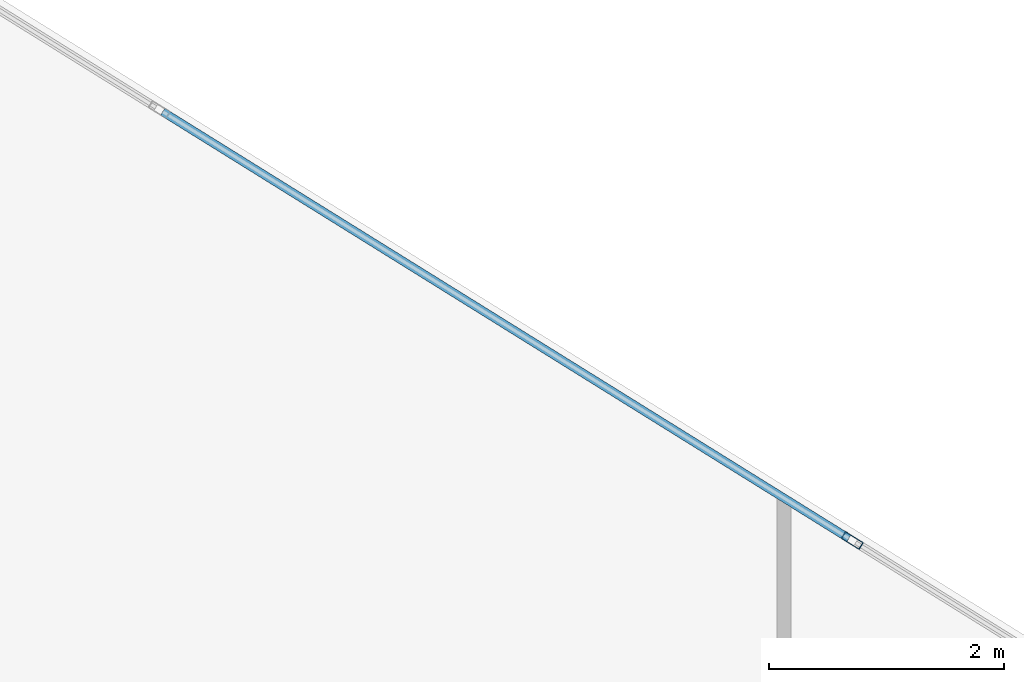
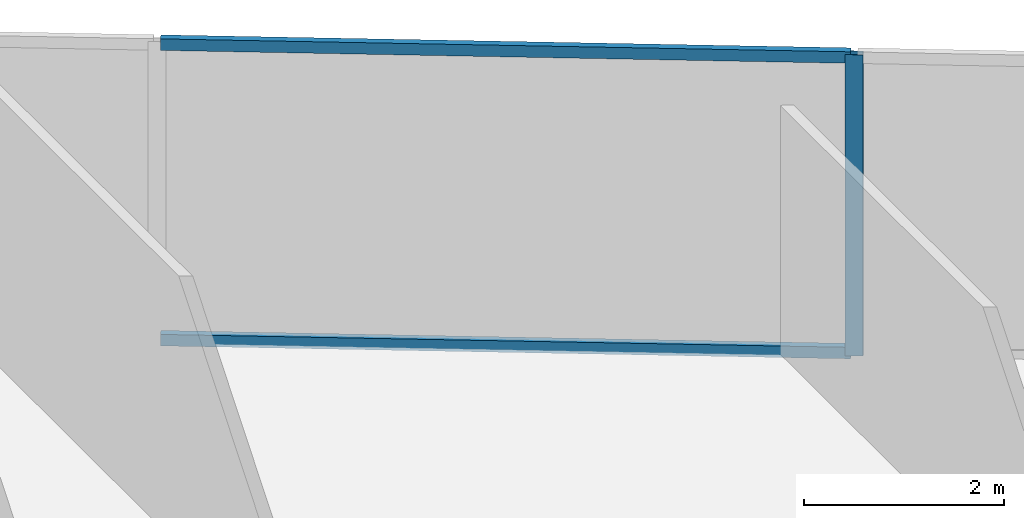
# One storey, part 19 of 25: 3 members, 1 element without a shape of its own.
"""IFC4 building model written with IfcOpenShell, lengths in metres."""

import ifcopenshell
import ifcopenshell.guid

model = None  # the IFC model being written
_history = None  # IfcOwnerHistory: only IFC2X3 demands one
_inside = {}  # id of a spatial element -> (the spatial element, [elements in it])
_under = {}  # id of a project, library or spatial element -> (it, [spatial elements below it])
_declared = {}  # id of a project -> (the project, [libraries it declares])
_typed = {}  # id of a type object -> (the type object, [elements of that type])
_made_of = {}  # id of a material, layer set ... -> (it, [elements and type objects made of it])


def new_model(schema):
    """Start an empty IFC model of exactly this schema.

    Asked for "IFC4X3", IfcOpenShell would pick the latest addendum, in which some entities
    have other attributes; the version numbers below select the first issue.
    IFC2X3 requires an IfcOwnerHistory on every rooted entity: one is made here for all.
    """
    global model, _history
    if schema == "IFC4X3":
        model = ifcopenshell.file(schema_version=(4, 3, 0, 0))
    else:
        model = ifcopenshell.file(schema=schema)
    _inside.clear()
    _under.clear()
    _declared.clear()
    _typed.clear()
    _made_of.clear()
    _history = None
    if model.schema == "IFC2X3":
        org = make("IfcOrganization", Name="unknown")
        user = make(
            "IfcPersonAndOrganization",
            ThePerson=make("IfcPerson", FamilyName="unknown"),
            TheOrganization=org,
        )
        app = make(
            "IfcApplication",
            ApplicationDeveloper=org,
            Version="unknown",
            ApplicationFullName="unknown",
            ApplicationIdentifier="unknown",
        )
        _history = make(
            "IfcOwnerHistory",
            OwningUser=user,
            OwningApplication=app,
            ChangeAction="ADDED",
            CreationDate=0,
        )
    return model


def make(cls, **values):
    """One entity of the class cls with the attributes given. An attribute that is None is left unset."""
    return model.create_entity(
        cls, **{name: value for name, value in values.items() if value is not None}
    )


def rooted(cls, **values):
    """An entity with a GlobalId (a new one), such as an element, a storey or a relation."""
    return make(cls, GlobalId=ifcopenshell.guid.new(), OwnerHistory=_history, **values)


def si_unit(unit_type, name, prefix=None):
    """IfcSIUnit, for example si_unit("LENGTHUNIT", "METRE", prefix="MILLI")."""
    return make("IfcSIUnit", UnitType=unit_type, Prefix=prefix, Name=name)


def assignment(units):
    """IfcUnitAssignment: the units of a project."""
    return None if units is None else make("IfcUnitAssignment", Units=units)


def point(xyz):
    """IfcCartesianPoint."""
    return None if xyz is None else make("IfcCartesianPoint", Coordinates=xyz)


def direction(xyz):
    """IfcDirection."""
    return None if xyz is None else make("IfcDirection", DirectionRatios=xyz)


def frame(location, z_axis=None, x_axis=None):
    """IfcAxis2Placement3D, a coordinate frame: its origin and axes. An axis left out is left unset."""
    return make(
        "IfcAxis2Placement3D",
        Location=point(location),
        Axis=direction(z_axis),
        RefDirection=direction(x_axis),
    )


def frame_2d(location, x_axis=None):
    """IfcAxis2Placement2D, a coordinate frame in the plane: its origin and x axis."""
    return make(
        "IfcAxis2Placement2D", Location=point(location), RefDirection=direction(x_axis)
    )


def origin():
    """The frame at (0, 0, 0) with its axes left unset."""
    return frame((0.0, 0.0, 0.0))


def origin_2d():
    """The frame at (0, 0) in the plane with its x axis left unset."""
    return frame_2d((0.0, 0.0))


def place(relative_to, where):
    """IfcLocalPlacement: puts the frame where relative to a parent placement (None: the world)."""
    return make(
        "IfcLocalPlacement", PlacementRelTo=relative_to, RelativePlacement=where
    )


def context(
    kind, dimensions, precision=None, world=None, true_north=None, identifier=None
):
    """IfcGeometricRepresentationContext, for example the 3D "Model" context."""
    return make(
        "IfcGeometricRepresentationContext",
        ContextIdentifier=identifier,
        ContextType=kind,
        CoordinateSpaceDimension=dimensions,
        Precision=precision,
        WorldCoordinateSystem=world,
        TrueNorth=true_north,
    )


def subcontext(parent, identifier, kind, view, scale=None):
    """IfcGeometricRepresentationSubContext, for example "Body" below "Model"."""
    return make(
        "IfcGeometricRepresentationSubContext",
        ContextIdentifier=identifier,
        ContextType=kind,
        ParentContext=parent,
        TargetScale=scale,
        TargetView=view,
    )


def project(units=None, contexts=None):
    """IfcProject with its units and contexts."""
    return rooted(
        "IfcProject",
        Name="project",
        RepresentationContexts=contexts,
        UnitsInContext=assignment(units),
    )


def spatial(cls, under=None, at=None, **own):
    """A site, building, storey or space (cls), placed at a placement, below another one or the project."""
    s = rooted(cls, ObjectPlacement=at, **own)
    if under is not None:
        _under.setdefault(under.id(), (under, []))[1].append(s)
    return s


def profile(cls, at=None, kind="AREA", **sizes):
    """A parametric profile (cls). Its sizes go by their IFC names, for example OverallWidth=200.0."""
    return make(cls, ProfileType=kind, Position=at, **sizes)


def hollow_rectangle(**sizes):
    """IfcRectangleHollowProfileDef."""
    return profile("IfcRectangleHollowProfileDef", **sizes)


def extrude(swept, where, along, depth):
    """IfcExtrudedAreaSolid: the profile swept, set in the frame where, extruded along a direction by depth."""
    return make(
        "IfcExtrudedAreaSolid",
        SweptArea=swept,
        Position=where,
        ExtrudedDirection=direction(along),
        Depth=depth,
    )


def shape(context_of_items, identifier, shape_type, items):
    """IfcShapeRepresentation: the items that make up one representation, for example the "Body"."""
    return make(
        "IfcShapeRepresentation",
        ContextOfItems=context_of_items,
        RepresentationIdentifier=identifier,
        RepresentationType=shape_type,
        Items=items,
    )


def source(mapping_origin, context_of_items, identifier, shape_type, items):
    """IfcRepresentationMap: a shape defined once, which mapped items show again and again."""
    return make(
        "IfcRepresentationMap",
        MappingOrigin=mapping_origin,
        MappedRepresentation=shape(context_of_items, identifier, shape_type, items),
    )


def transform(
    local_origin,
    x_axis=None,
    y_axis=None,
    z_axis=None,
    scale=None,
    scale2=None,
    scale3=None,
    uniform=True,
):
    """IfcCartesianTransformationOperator3D, or its non-uniform kind. x_axis, y_axis, z_axis: its Axis1, 2, 3."""
    if uniform:
        return make(
            "IfcCartesianTransformationOperator3D",
            Axis1=direction(x_axis),
            Axis2=direction(y_axis),
            LocalOrigin=point(local_origin),
            Scale=scale,
            Axis3=direction(z_axis),
        )
    return make(
        "IfcCartesianTransformationOperator3DnonUniform",
        Axis1=direction(x_axis),
        Axis2=direction(y_axis),
        LocalOrigin=point(local_origin),
        Scale=scale,
        Axis3=direction(z_axis),
        Scale2=scale2,
        Scale3=scale3,
    )


def mapped(mapping_source, mapping_target):
    """IfcMappedItem: shows the shape of a source again, moved by a transform."""
    return make(
        "IfcMappedItem", MappingSource=mapping_source, MappingTarget=mapping_target
    )


def material(Name=None, Category=None):
    """IfcMaterial."""
    return make("IfcMaterial", Name=Name, Category=Category)


def material_profile(
    of_material, cross_section, Name=None, Category=None, Priority=None
):
    """IfcMaterialProfile: a cross section and its material."""
    return make(
        "IfcMaterialProfile",
        Name=Name,
        Material=of_material,
        Profile=cross_section,
        Priority=Priority,
        Category=Category,
    )


def profile_set(profiles, Name=None, composite=None):
    """IfcMaterialProfileSet."""
    return make(
        "IfcMaterialProfileSet",
        Name=Name,
        MaterialProfiles=profiles,
        CompositeProfile=composite,
    )


def made_of(thing, what):
    """Note that an element or type object is made of a material, layer set ...; save() writes the relation."""
    if what is not None:
        _made_of.setdefault(what.id(), (what, []))[1].append(thing)
    return thing


def type_object(cls, material=None, **own):
    """A type object (cls), such as IfcWallType, which elements share."""
    return made_of(rooted(cls, **own), material)


def type_shapes(of_type, sources):
    """Give a type object the sources (RepresentationMaps) that its elements show as mapped items."""
    of_type.RepresentationMaps = sources


def element(
    cls,
    number,
    at=None,
    inside=None,
    cuts=None,
    type_object=None,
    material=None,
    context=None,
    identifier="Body",
    shape_type=None,
    held_by="IfcProductDefinitionShape",
    body=None,
    shapes=None,
    **own,
):
    """One element of the class cls, such as IfcWall. Its Tag is "e" and its number.

    at: its placement. inside: the storey or other place that contains it. cuts: it is an
    opening in that element (IfcRelVoidsElement). A single representation is given by context,
    identifier, shape_type and body (its items); several are given by shapes. held_by: the class
    of the entity that holds the representations. save() writes the other relations.
    """
    e = rooted(cls, Tag="e%d" % number, ObjectPlacement=at, **own)
    if body is not None:
        shapes = [shape(context, identifier, shape_type, body)]
    if shapes is not None:
        e.Representation = make(held_by, Representations=shapes)
    if inside is not None:
        _inside.setdefault(inside.id(), (inside, []))[1].append(e)
    if cuts is not None:
        rooted(
            "IfcRelVoidsElement", RelatingBuildingElement=cuts, RelatedOpeningElement=e
        )
    if type_object is not None:
        _typed.setdefault(type_object.id(), (type_object, []))[1].append(e)
    return made_of(e, material)


def aggregate(whole, parts):
    """IfcRelAggregates: a whole, such as a stair, and the parts it consists of."""
    return rooted("IfcRelAggregates", RelatingObject=whole, RelatedObjects=parts)


def save(model, path):
    """Write the relations noted so far, then the file.

    IfcRelAggregates (storeys below a building ...), IfcRelContainedInSpatialStructure (elements
    in a storey), IfcRelDefinesByType, IfcRelAssociatesMaterial and IfcRelDeclares: one each for
    every whole, place, type object, material and project.
    """
    for whole, parts in _under.values():
        aggregate(whole, parts)
    for where, things in _inside.values():
        rooted(
            "IfcRelContainedInSpatialStructure",
            RelatedElements=things,
            RelatingStructure=where,
        )
    for kind, things in _typed.values():
        rooted("IfcRelDefinesByType", RelatedObjects=things, RelatingType=kind)
    for what, things in _made_of.values():
        rooted("IfcRelAssociatesMaterial", RelatedObjects=things, RelatingMaterial=what)
    for by, libraries in _declared.values():
        rooted("IfcRelDeclares", RelatingContext=by, RelatedDefinitions=libraries)
    model.write(path)


model = new_model("IFC4")

# Units and contexts
model_context = context("Model", 3, precision=1e-05, world=origin(), true_north=direction((0.0, 1.0)))
body_context = subcontext(model_context, "Body", "Model", "MODEL_VIEW")
ifc_project = project(units=[si_unit("LENGTHUNIT", "METRE"), si_unit("AREAUNIT", "SQUARE_METRE"), si_unit("VOLUMEUNIT", "CUBIC_METRE"), si_unit("PLANEANGLEUNIT", "RADIAN"), si_unit("MASSUNIT", "GRAM", prefix="KILO")], contexts=[model_context])

# Site, building, storey
site_placement = place(None, origin())
site = spatial("IfcSite", under=ifc_project, at=site_placement, CompositionType="ELEMENT")
building_placement = place(site_placement, origin())
building = spatial("IfcBuilding", under=site, at=building_placement, Name="Krantzveldt Concourse Tower", CompositionType="ELEMENT")
storey_placement = place(building_placement, frame((0.0, 0.0, 181.75)))
storey = spatial("IfcBuildingStorey", under=building, at=storey_placement, Name="L44", CompositionType="ELEMENT", Elevation=181.75)

# Curtain wall, members
ifc_material = material(Name="Anodised aluminium 6063-T6", Category="aluminium")
curtain_wall_type = type_object("IfcCurtainWallType", Name="CW3", PredefinedType="USERDEFINED", material=ifc_material)
curtain_wall_placement = place(storey_placement, origin())
curtain_wall = element("IfcCurtainWall", 1, at=curtain_wall_placement, inside=storey, type_object=curtain_wall_type, Name="CW-L44-F10", ObjectType="UNITISED CURTAIN WALL", PredefinedType="USERDEFINED")
ifc_material_profile_1 = material_profile(ifc_material, hollow_rectangle(XDim=0.070068359375, YDim=0.179931640625, WallThickness=0.0048828125, at=origin_2d()), Name="Anodised aluminium 6063-T6", Category="aluminium")
ifc_profile_set_1 = profile_set([ifc_material_profile_1], Name="Anodised aluminium 6063-T6 - ALU-MULL 180x70x5")
member_type_1 = type_object("IfcMemberType", Name="CW-MUL-180", PredefinedType="MULLION", material=ifc_profile_set_1)
shared_shape_1 = source(origin(), body_context, "Body", "SweptSolid", [
    extrude(hollow_rectangle(XDim=0.070068359375, YDim=0.179931640625, WallThickness=0.0048828125, at=origin_2d()), origin(), (0.0, 0.0, 1.0), 3.669921875),
])
type_shapes(member_type_1, [shared_shape_1])
member_1_placement = place(storey_placement, frame((44.56201171875, 47.058837890625, 0.0), z_axis=(0.0, 0.0, 1.0), x_axis=(-0.528067901977, -0.84920214961, 0.0)))
member_1 = element("IfcMember", 2, at=member_1_placement, type_object=member_type_1, Name="CW-Z34 mullion 4", PredefinedType="MULLION", context=body_context, shape_type="MappedRepresentation", body=[
    mapped(shared_shape_1, transform((0.0, 0.0, 0.0), x_axis=(1.0, 0.0, 0.0), y_axis=(0.0, 1.0, 0.0), z_axis=(0.0, 0.0, 1.0), scale=1.0)),
])
ifc_material_profile_2 = material_profile(ifc_material, hollow_rectangle(XDim=0.070068359375, YDim=0.139892578125, WallThickness=0.0048828125, at=origin_2d()), Name="Anodised aluminium 6063-T6", Category="aluminium")
ifc_profile_set_2 = profile_set([ifc_material_profile_2], Name="Anodised aluminium 6063-T6 - ALU-TRAN 140x70x5")
member_type_2 = type_object("IfcMemberType", Name="CW-TRN-150", PredefinedType="USERDEFINED", material=ifc_profile_set_2)
shared_shape_2 = source(origin(), body_context, "Body", "SweptSolid", [
    extrude(hollow_rectangle(XDim=0.070068359375, YDim=0.139892578125, WallThickness=0.0048828125, at=origin_2d()), origin(), (0.0, 0.0, 1.0), 6.89013671875),
])
type_shapes(member_type_2, [shared_shape_2])
member_2_placement = place(storey_placement, frame((44.5322265625, 47.0771484375, 0.034912109375), z_axis=(-0.849202443437, 0.528067429464, 0.0), x_axis=(-0.528067429464, -0.849202443437, 0.0)))
member_2 = element("IfcMember", 3, at=member_2_placement, type_object=member_type_2, Name="CW-Z34 transom 4.1", ObjectType="TRANSOM", PredefinedType="USERDEFINED", context=body_context, shape_type="MappedRepresentation", body=[
    mapped(shared_shape_2, transform((0.0, 0.0, 0.0), x_axis=(1.0, 0.0, 0.0), y_axis=(0.0, 1.0, 0.0), z_axis=(0.0, 0.0, 1.0), scale=1.0)),
])
member_3_placement = place(storey_placement, frame((44.5322265625, 47.0771484375, 3.635009765625), z_axis=(-0.849202443437, 0.528067429464, 0.0), x_axis=(-0.528067429464, -0.849202443437, 0.0)))
member_3 = element("IfcMember", 4, at=member_3_placement, type_object=member_type_2, Name="CW-Z34 transom 4.2", ObjectType="TRANSOM", PredefinedType="USERDEFINED", context=body_context, shape_type="MappedRepresentation", body=[
    mapped(shared_shape_2, transform((0.0, 0.0, 0.0), x_axis=(1.0, 0.0, 0.0), y_axis=(0.0, 1.0, 0.0), z_axis=(0.0, 0.0, 1.0), scale=1.0)),
])
aggregate(curtain_wall, [member_1, member_2, member_3])

save(model, "model.ifc")
